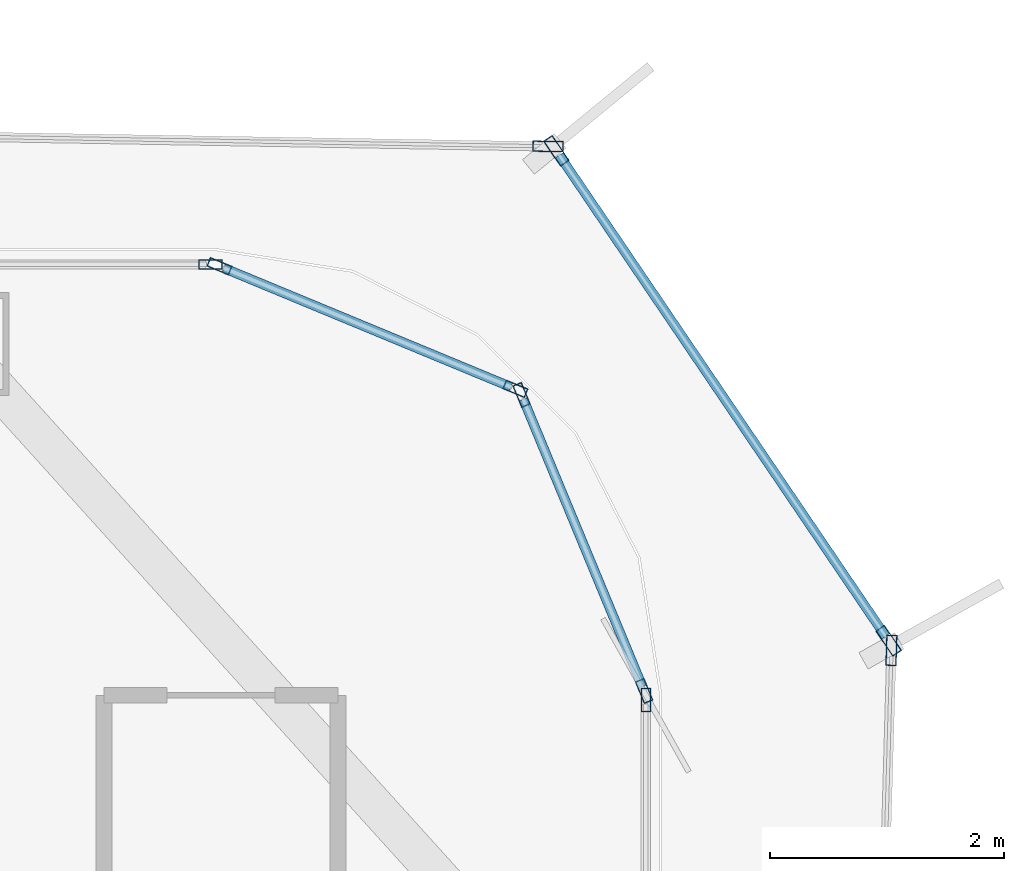
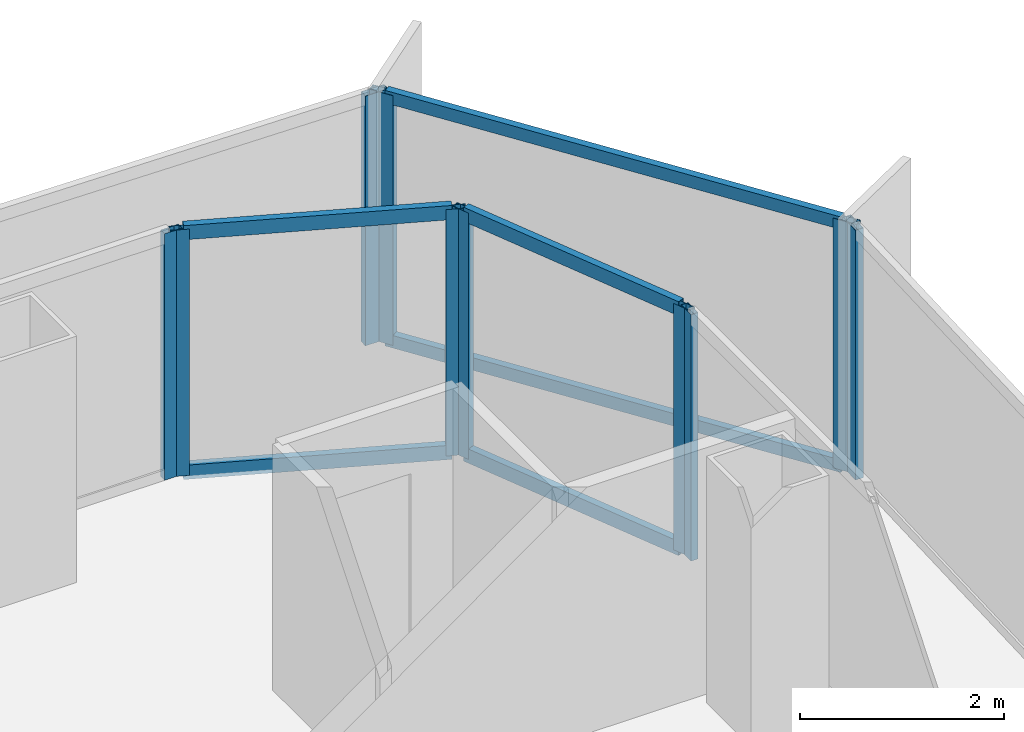
# One storey, part 14 of 21: 16 members, 7 elements without a shape of their own.
"""IFC4 building model written with IfcOpenShell, lengths in metres."""

from ifc_helpers import new_model, si_unit, direction, frame, origin, origin_2d, place, context, subcontext, project, spatial, hollow_rectangle, extrude, source, transform, mapped, material, layer, layer_set, material_profile, profile_set, type_object, element, aggregate, save


model = new_model("IFC4")

# Units and contexts
model_context = context("Model", 3, precision=1e-05, world=origin(), true_north=direction((0.0, 1.0)))
body_context = subcontext(model_context, "Body", "Model", "MODEL_VIEW")
ifc_project = project(units=[si_unit("LENGTHUNIT", "METRE"), si_unit("AREAUNIT", "SQUARE_METRE"), si_unit("VOLUMEUNIT", "CUBIC_METRE"), si_unit("PLANEANGLEUNIT", "RADIAN"), si_unit("MASSUNIT", "GRAM", prefix="KILO")], contexts=[model_context])

# Site, building, storey
site_placement = place(None, origin())
site = spatial("IfcSite", under=ifc_project, at=site_placement, CompositionType="ELEMENT")
building_placement = place(site_placement, origin())
building = spatial("IfcBuilding", under=site, at=building_placement, Name="Kolveth Station Tower", CompositionType="ELEMENT")
storey_placement = place(building_placement, frame((0.0, 0.0, 124.699951171875)))
storey = spatial("IfcBuildingStorey", under=building, at=storey_placement, Name="L34", CompositionType="ELEMENT", Elevation=124.699951171875)

# Curtain wall, member
ifc_material_1 = material(Name="Aluminium 6063-T6 and low-E dark glass", Category="aluminium")
ifc_layer_1 = layer(ifc_material_1, 0.18994140625)
ifc_layer_set_1 = layer_set([ifc_layer_1], Name="Aluminium 6063-T6 and low-E dark glass")
curtain_wall_type_1 = type_object("IfcCurtainWallType", Name="CurtainWall_CW-Z2", PredefinedType="NOTDEFINED", material=ifc_layer_set_1)
curtain_wall_1_placement = place(storey_placement, origin())
curtain_wall_1 = element("IfcCurtainWall", 1, at=curtain_wall_1_placement, inside=storey, type_object=curtain_wall_type_1, Name="L34 Inner Thermal Curtain Wall 3", PredefinedType="NOTDEFINED")
ifc_material_2 = material(Name="Black anodized aluminium 6063-T6", Category="aluminium")
ifc_material_profile_1 = material_profile(ifc_material_2, hollow_rectangle(XDim=0.080078125, YDim=0.199951171875, WallThickness=0.0048828125, at=origin_2d()), Name="ALU-80x200x5")
ifc_profile_set_1 = profile_set([ifc_material_profile_1], Name="Black anodized aluminium 6063-T6")
member_type_1 = type_object("IfcMemberType", Name="Mullion_ML2", PredefinedType="MULLION", material=ifc_profile_set_1)
shared_shape_1 = source(origin(), body_context, "Body", "SweptSolid", [
    extrude(hollow_rectangle(XDim=0.080078125, YDim=0.199951171875, WallThickness=0.0048828125, at=origin_2d()), origin(), (0.0, 0.0, 1.0), 2.949951171875),
])
member_1_placement = place(storey_placement, frame((46.8798828125, 31.4599609375, 0.0), z_axis=(0.0, 0.0, 1.0), x_axis=(-1.0, 0.0, 0.0)))
member_1 = element("IfcMember", 2, at=member_1_placement, type_object=member_type_1, Name="CW-Z2 mullion 2", PredefinedType="MULLION", context=body_context, shape_type="MappedRepresentation", body=[
    mapped(shared_shape_1, transform((0.0, 0.0, 0.0), x_axis=(1.0, 0.0, 0.0), y_axis=(0.0, 1.0, 0.0), z_axis=(0.0, 0.0, 1.0), scale=1.0)),
])
aggregate(curtain_wall_1, [member_1])

# Curtain wall, members
curtain_wall_2_placement = place(storey_placement, origin())
curtain_wall_2 = element("IfcCurtainWall", 3, at=curtain_wall_2_placement, inside=storey, type_object=curtain_wall_type_1, Name="L34 Inner Thermal Curtain Wall 4", PredefinedType="NOTDEFINED")
member_2_placement = place(storey_placement, frame((46.86474609375, 31.536865234375, 0.0), z_axis=(0.0, 0.0, 1.0), x_axis=(-0.923887883787, -0.38266326998, 0.0)))
member_2 = element("IfcMember", 4, at=member_2_placement, type_object=member_type_1, Name="CW-Z2 mullion 1", PredefinedType="MULLION", context=body_context, shape_type="MappedRepresentation", body=[
    mapped(shared_shape_1, transform((0.0, 0.0, 0.0), x_axis=(1.0, 0.0, 0.0), y_axis=(0.0, 1.0, 0.0), z_axis=(0.0, 0.0, 1.0), scale=1.0)),
])
member_3_placement = place(storey_placement, frame((45.817626953125, 34.065185546875, 0.0), z_axis=(0.0, 0.0, 1.0), x_axis=(-0.923887883787, -0.38266326998, 0.0)))
member_3 = element("IfcMember", 5, at=member_3_placement, type_object=member_type_1, Name="CW-Z2 mullion 2", PredefinedType="MULLION", context=body_context, shape_type="MappedRepresentation", body=[
    mapped(shared_shape_1, transform((0.0, 0.0, 0.0), x_axis=(1.0, 0.0, 0.0), y_axis=(0.0, 1.0, 0.0), z_axis=(0.0, 0.0, 1.0), scale=1.0)),
])

curtain_wall_3_placement = place(storey_placement, origin())
curtain_wall_3 = element("IfcCurtainWall", 6, at=curtain_wall_3_placement, inside=storey, type_object=curtain_wall_type_1, Name="L34 Inner Thermal Curtain Wall 5", PredefinedType="NOTDEFINED")
member_4_placement = place(storey_placement, frame((45.76513671875, 34.117431640625, 0.0), z_axis=(0.0, 0.0, 1.0), x_axis=(-0.38266326998, -0.923887883787, 0.0)))
member_4 = element("IfcMember", 7, at=member_4_placement, type_object=member_type_1, Name="CW-Z2 mullion 1", PredefinedType="MULLION", context=body_context, shape_type="MappedRepresentation", body=[
    mapped(shared_shape_1, transform((0.0, 0.0, 0.0), x_axis=(1.0, 0.0, 0.0), y_axis=(0.0, 1.0, 0.0), z_axis=(0.0, 0.0, 1.0), scale=1.0)),
])
member_5_placement = place(storey_placement, frame((43.237060546875, 35.164794921875, 0.0), z_axis=(0.0, 0.0, 1.0), x_axis=(-0.38266326998, -0.923887883787, 0.0)))
member_5 = element("IfcMember", 8, at=member_5_placement, type_object=member_type_1, Name="CW-Z2 mullion 2", PredefinedType="MULLION", context=body_context, shape_type="MappedRepresentation", body=[
    mapped(shared_shape_1, transform((0.0, 0.0, 0.0), x_axis=(1.0, 0.0, 0.0), y_axis=(0.0, 1.0, 0.0), z_axis=(0.0, 0.0, 1.0), scale=1.0)),
])

# Curtain wall, member
curtain_wall_4_placement = place(storey_placement, origin())
curtain_wall_4 = element("IfcCurtainWall", 9, at=curtain_wall_4_placement, inside=storey, type_object=curtain_wall_type_1, Name="L34 Inner Thermal Curtain Wall 6", PredefinedType="NOTDEFINED")
member_6_placement = place(storey_placement, frame((43.159912109375, 35.179931640625, 0.0), z_axis=(0.0, 0.0, 1.0), x_axis=(0.0, -1.0, 0.0)))
member_6 = element("IfcMember", 10, at=member_6_placement, type_object=member_type_1, Name="CW-Z2 mullion 1", PredefinedType="MULLION", context=body_context, shape_type="MappedRepresentation", body=[
    mapped(shared_shape_1, transform((0.0, 0.0, 0.0), x_axis=(1.0, 0.0, 0.0), y_axis=(0.0, 1.0, 0.0), z_axis=(0.0, 0.0, 1.0), scale=1.0)),
])
aggregate(curtain_wall_4, [member_6])

# Member
ifc_material_profile_2 = material_profile(ifc_material_2, hollow_rectangle(XDim=0.080078125, YDim=0.169921875, WallThickness=0.0048828125, at=origin_2d()), Name="ALU-80x170x5")
ifc_profile_set_2 = profile_set([ifc_material_profile_2], Name="Black anodized aluminium 6063-T6")
member_type_2 = type_object("IfcMemberType", Name="Transom_TR2", PredefinedType="USERDEFINED", material=ifc_profile_set_2)
shared_shape_2 = source(origin(), body_context, "Body", "SweptSolid", [
    extrude(hollow_rectangle(XDim=0.080078125, YDim=0.169921875, WallThickness=0.0048828125, at=origin_2d()), origin(), (0.0, 0.0, 1.0), 2.656494140625),
])
member_7_placement = place(storey_placement, frame((46.849365234375, 31.573974609375, 0.0400390625), z_axis=(-0.382676455475, 0.923882422403, 0.0), x_axis=(-0.923882422403, -0.382676455475, 0.0)))
member_7 = element("IfcMember", 11, at=member_7_placement, type_object=member_type_2, Name="CW-Z2 transom 1.1", ObjectType="TRANSOM", PredefinedType="USERDEFINED", context=body_context, shape_type="MappedRepresentation", body=[
    mapped(shared_shape_2, transform((0.0, 0.0, 0.0), x_axis=(1.0, 0.0, 0.0), y_axis=(0.0, 1.0, 0.0), z_axis=(0.0, 0.0, 1.0), scale=1.0)),
])

member_8_placement = place(storey_placement, frame((46.849365234375, 31.573974609375, 2.91015625), z_axis=(-0.382676455475, 0.923882422403, 0.0), x_axis=(-0.923882422403, -0.382676455475, 0.0)))
member_8 = element("IfcMember", 12, at=member_8_placement, type_object=member_type_2, Name="CW-Z2 transom 1.2", ObjectType="TRANSOM", PredefinedType="USERDEFINED", context=body_context, shape_type="MappedRepresentation", body=[
    mapped(shared_shape_2, transform((0.0, 0.0, 0.0), x_axis=(1.0, 0.0, 0.0), y_axis=(0.0, 1.0, 0.0), z_axis=(0.0, 0.0, 1.0), scale=1.0)),
])

aggregate(curtain_wall_2, [member_2, member_3, member_7, member_8])

member_9_placement = place(storey_placement, frame((45.728271484375, 34.1328125, 0.0400390625), z_axis=(-0.923882422403, 0.382676455475, 0.0), x_axis=(-0.382676455475, -0.923882422403, 0.0)))
member_9 = element("IfcMember", 13, at=member_9_placement, type_object=member_type_2, Name="CW-Z2 transom 1.1", ObjectType="TRANSOM", PredefinedType="USERDEFINED", context=body_context, shape_type="MappedRepresentation", body=[
    mapped(shared_shape_2, transform((0.0, 0.0, 0.0), x_axis=(1.0, 0.0, 0.0), y_axis=(0.0, 1.0, 0.0), z_axis=(0.0, 0.0, 1.0), scale=1.0)),
])

member_10_placement = place(storey_placement, frame((45.728271484375, 34.1328125, 2.91015625), z_axis=(-0.923882422403, 0.382676455475, 0.0), x_axis=(-0.382676455475, -0.923882422403, 0.0)))
member_10 = element("IfcMember", 14, at=member_10_placement, type_object=member_type_2, Name="CW-Z2 transom 1.2", ObjectType="TRANSOM", PredefinedType="USERDEFINED", context=body_context, shape_type="MappedRepresentation", body=[
    mapped(shared_shape_2, transform((0.0, 0.0, 0.0), x_axis=(1.0, 0.0, 0.0), y_axis=(0.0, 1.0, 0.0), z_axis=(0.0, 0.0, 1.0), scale=1.0)),
])

aggregate(curtain_wall_3, [member_4, member_5, member_9, member_10])

# Curtain wall, member
ifc_material_3 = material(Name="Black anodized aluminium 6063-T6 and dark solar glass", Category="aluminium")
ifc_layer_2 = layer(ifc_material_3, 0.159912109375)
ifc_layer_set_2 = layer_set([ifc_layer_2], Name="Black anodized aluminium 6063-T6 and dark solar glass")
curtain_wall_type_2 = type_object("IfcCurtainWallType", Name="OUTER SKIN CW-OS", PredefinedType="NOTDEFINED", material=ifc_layer_set_2)
curtain_wall_5_placement = place(storey_placement, origin())
curtain_wall_5 = element("IfcCurtainWall", 15, at=curtain_wall_5_placement, inside=storey, type_object=curtain_wall_type_2, Name="L34 Outer Ventilated Skin Curtain Wall 2", PredefinedType="NOTDEFINED")
ifc_material_profile_3 = material_profile(ifc_material_2, hollow_rectangle(XDim=0.090087890625, YDim=0.260009765625, WallThickness=0.0048828125, at=origin_2d()), Name="ALU-90x260x5")
ifc_profile_set_3 = profile_set([ifc_material_profile_3], Name="Black anodized aluminium 6063-T6")
member_type_3 = type_object("IfcMemberType", Name="FIN MULLION ML-OS", PredefinedType="MULLION", material=ifc_profile_set_3)
shared_shape_3 = source(origin(), body_context, "Body", "SweptSolid", [
    extrude(hollow_rectangle(XDim=0.090087890625, YDim=0.260009765625, WallThickness=0.0048828125, at=origin_2d()), origin(), (0.0, 0.0, 1.0), 2.989990234375),
])
member_11_placement = place(storey_placement, frame((48.976806640625, 31.8837890625, 0.0), z_axis=(0.0, 0.0, 1.0), x_axis=(-0.999597097979, 0.028383828337, 0.0)))
member_11 = element("IfcMember", 16, at=member_11_placement, type_object=member_type_3, Name="CW-OS mullion 2", PredefinedType="MULLION", context=body_context, shape_type="MappedRepresentation", body=[
    mapped(shared_shape_3, transform((0.0, 0.0, 0.0), x_axis=(1.0, 0.0, 0.0), y_axis=(0.0, 1.0, 0.0), z_axis=(0.0, 0.0, 1.0), scale=1.0)),
])
aggregate(curtain_wall_5, [member_11])

# Curtain wall, members
curtain_wall_6_placement = place(storey_placement, origin())
curtain_wall_6 = element("IfcCurtainWall", 17, at=curtain_wall_6_placement, inside=storey, type_object=curtain_wall_type_2, Name="L34 Outer Ventilated Skin Curtain Wall 3", PredefinedType="NOTDEFINED")
member_12_placement = place(storey_placement, frame((48.952880859375, 31.9658203125, 0.0), z_axis=(0.0, 0.0, 1.0), x_axis=(-0.827596350682, -0.561323685887, 0.0)))
member_12 = element("IfcMember", 18, at=member_12_placement, type_object=member_type_3, Name="CW-OS mullion 1", PredefinedType="MULLION", context=body_context, shape_type="MappedRepresentation", body=[
    mapped(shared_shape_3, transform((0.0, 0.0, 0.0), x_axis=(1.0, 0.0, 0.0), y_axis=(0.0, 1.0, 0.0), z_axis=(0.0, 0.0, 1.0), scale=1.0)),
])
member_13_placement = place(storey_placement, frame((46.11474609375, 36.150390625, 0.0), z_axis=(0.0, 0.0, 1.0), x_axis=(-0.827596350682, -0.561323685887, 0.0)))
member_13 = element("IfcMember", 19, at=member_13_placement, type_object=member_type_3, Name="CW-OS mullion 2", PredefinedType="MULLION", context=body_context, shape_type="MappedRepresentation", body=[
    mapped(shared_shape_3, transform((0.0, 0.0, 0.0), x_axis=(1.0, 0.0, 0.0), y_axis=(0.0, 1.0, 0.0), z_axis=(0.0, 0.0, 1.0), scale=1.0)),
])

# Curtain wall, member
curtain_wall_7_placement = place(storey_placement, origin())
curtain_wall_7 = element("IfcCurtainWall", 20, at=curtain_wall_7_placement, inside=storey, type_object=curtain_wall_type_2, Name="L34 Outer Ventilated Skin Curtain Wall 4", PredefinedType="NOTDEFINED")
member_14_placement = place(storey_placement, frame((46.04443359375, 36.1884765625, 0.0), z_axis=(0.0, 0.0, 1.0), x_axis=(-0.016715983886, -0.99986027818, 0.0)))
member_14 = element("IfcMember", 21, at=member_14_placement, type_object=member_type_3, Name="CW-OS mullion 1", PredefinedType="MULLION", context=body_context, shape_type="MappedRepresentation", body=[
    mapped(shared_shape_3, transform((0.0, 0.0, 0.0), x_axis=(1.0, 0.0, 0.0), y_axis=(0.0, 1.0, 0.0), z_axis=(0.0, 0.0, 1.0), scale=1.0)),
])
aggregate(curtain_wall_7, [member_14])

# Member
ifc_material_profile_4 = material_profile(ifc_material_2, hollow_rectangle(XDim=0.080078125, YDim=0.14990234375, WallThickness=0.0048828125, at=origin_2d()), Name="ALU-80x150x5")
ifc_profile_set_4 = profile_set([ifc_material_profile_4], Name="Black anodized aluminium 6063-T6")
member_type_4 = type_object("IfcMemberType", Name="Transom_TR-OS", PredefinedType="USERDEFINED", material=ifc_profile_set_4)
shared_shape_4 = source(origin(), body_context, "Body", "SweptSolid", [
    extrude(hollow_rectangle(XDim=0.080078125, YDim=0.14990234375, WallThickness=0.0048828125, at=origin_2d()), origin(), (0.0, 0.0, 1.0), 4.96630859375),
])
member_15_placement = place(storey_placement, frame((48.927734375, 32.003173828125, 0.0400390625), z_axis=(-0.561307854615, 0.827607088145, 0.0), x_axis=(-0.827607088145, -0.561307854615, 0.0)))
member_15 = element("IfcMember", 22, at=member_15_placement, type_object=member_type_4, Name="CW-OS transom 1.1", ObjectType="TRANSOM", PredefinedType="USERDEFINED", context=body_context, shape_type="MappedRepresentation", body=[
    mapped(shared_shape_4, transform((0.0, 0.0, 0.0), x_axis=(1.0, 0.0, 0.0), y_axis=(0.0, 1.0, 0.0), z_axis=(0.0, 0.0, 1.0), scale=1.0)),
])

member_16_placement = place(storey_placement, frame((48.927734375, 32.003173828125, 2.949951171875), z_axis=(-0.561307854615, 0.827607088145, 0.0), x_axis=(-0.827607088145, -0.561307854615, 0.0)))
member_16 = element("IfcMember", 23, at=member_16_placement, type_object=member_type_4, Name="CW-OS transom 1.2", ObjectType="TRANSOM", PredefinedType="USERDEFINED", context=body_context, shape_type="MappedRepresentation", body=[
    mapped(shared_shape_4, transform((0.0, 0.0, 0.0), x_axis=(1.0, 0.0, 0.0), y_axis=(0.0, 1.0, 0.0), z_axis=(0.0, 0.0, 1.0), scale=1.0)),
])

aggregate(curtain_wall_6, [member_12, member_13, member_15, member_16])

save(model, "model.ifc")
